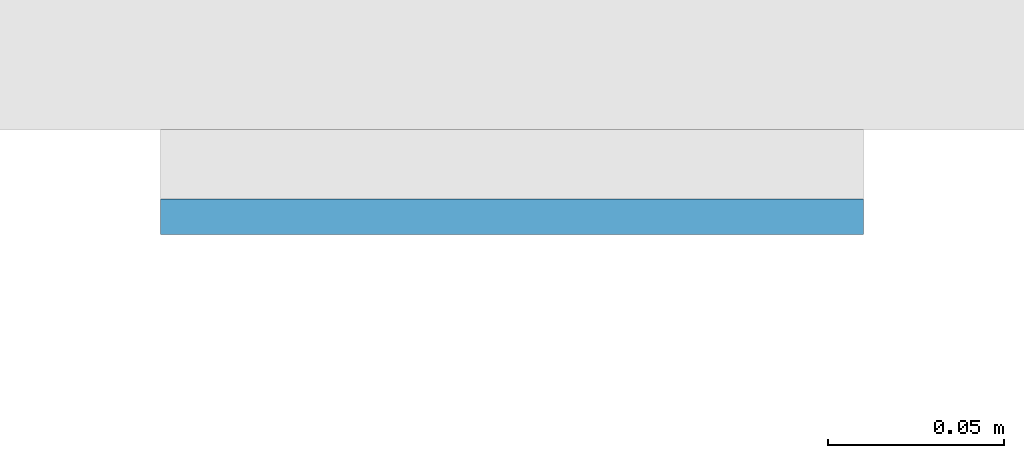
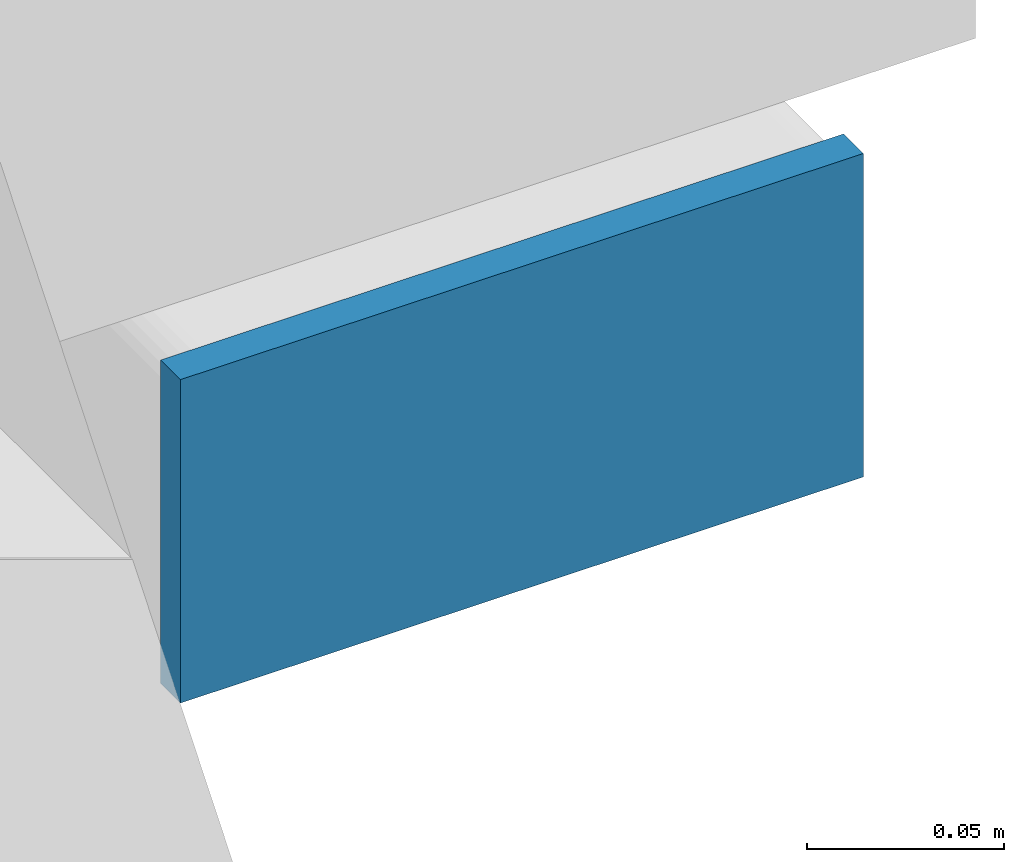
# One storey, part 10 of 20: 1 plate.
"""IFC4 building model written with IfcOpenShell, lengths in metres."""

from ifc_helpers import new_model, si_unit, direction, frame, origin, origin_2d, place, context, subcontext, project, spatial, rectangle, extrude, material, layer, layer_set, type_object, element, save


model = new_model("IFC4")

# Units and contexts
model_context = context("Model", 3, precision=1e-05, world=origin(), true_north=direction((0.0, 1.0)))
body_context = subcontext(model_context, "Body", "Model", "MODEL_VIEW")
ifc_project = project(units=[si_unit("LENGTHUNIT", "METRE"), si_unit("AREAUNIT", "SQUARE_METRE"), si_unit("VOLUMEUNIT", "CUBIC_METRE"), si_unit("PLANEANGLEUNIT", "RADIAN"), si_unit("MASSUNIT", "GRAM", prefix="KILO")], contexts=[model_context])

# Site, building, storey
site_placement = place(None, origin())
site = spatial("IfcSite", under=ifc_project, at=site_placement, CompositionType="ELEMENT")
building_placement = place(site_placement, origin())
building = spatial("IfcBuilding", under=site, at=building_placement, Name="Cleftline Residences", CompositionType="ELEMENT")
storey_placement = place(building_placement, frame((0.0, 0.0, 62.0)))
storey = spatial("IfcBuildingStorey", under=building, at=storey_placement, Name="L15", CompositionType="ELEMENT", Elevation=62.0)

# Plate
ifc_material = material(Name="Steel S355, hot-dip galvanised", Category="steel")
ifc_layer = layer(ifc_material, 0.010009765625)
ifc_layer_set = layer_set([ifc_layer], Name="BAGUETTE CARRIER END PLATE 200X100X10")
plate_type = type_object("IfcPlateType", Name="BAGUETTE CARRIER END PLATE 200X100X10", PredefinedType="USERDEFINED", material=ifc_layer_set)
plate_placement = place(storey_placement, frame((66.85009765625, 3.695068359375, -0.10009765625), z_axis=(0.0, 0.0, 1.0), x_axis=(1.0, 0.0, 0.0)))
element("IfcPlate", 1, at=plate_placement, inside=storey, type_object=plate_type, Name="Baguette carrier end plate", ObjectType="BAGUETTE CARRIER END PLATE", PredefinedType="USERDEFINED", context=body_context, shape_type="SweptSolid", body=[
    extrude(rectangle(XDim=0.199951171875, YDim=0.010009765625, at=origin_2d()), origin(), (0.0, 0.0, 1.0), 0.10009765625),
])

save(model, "model.ifc")
